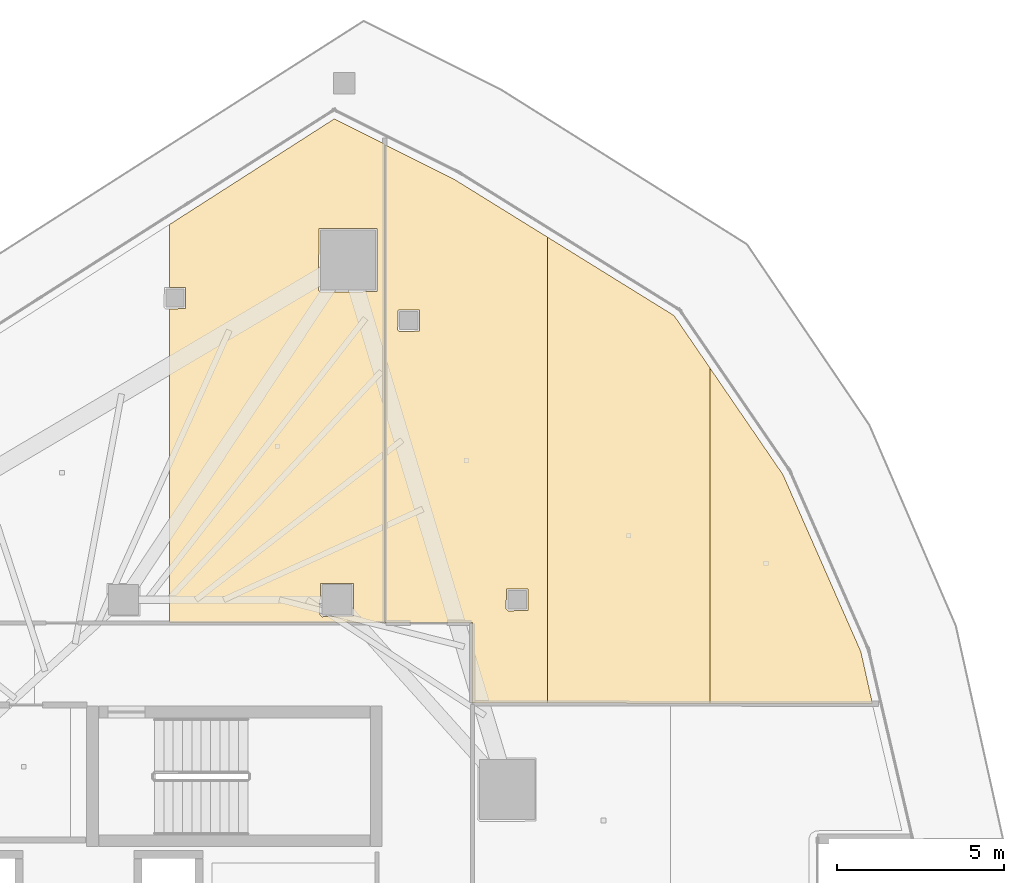
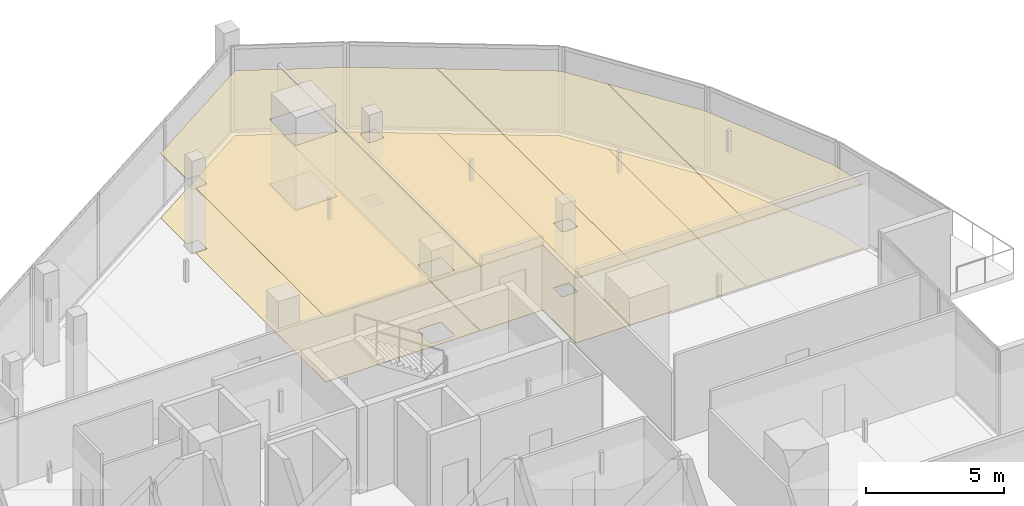
# One storey, part 33 of 33: 8 coverings.
"""IFC4 building model written with IfcOpenShell, lengths in metres."""

import ifcopenshell
import ifcopenshell.guid

model = None  # the IFC model being written
_history = None  # IfcOwnerHistory: only IFC2X3 demands one
_inside = {}  # id of a spatial element -> (the spatial element, [elements in it])
_under = {}  # id of a project, library or spatial element -> (it, [spatial elements below it])
_declared = {}  # id of a project -> (the project, [libraries it declares])
_typed = {}  # id of a type object -> (the type object, [elements of that type])
_made_of = {}  # id of a material, layer set ... -> (it, [elements and type objects made of it])


def new_model(schema):
    """Start an empty IFC model of exactly this schema.

    Asked for "IFC4X3", IfcOpenShell would pick the latest addendum, in which some entities
    have other attributes; the version numbers below select the first issue.
    IFC2X3 requires an IfcOwnerHistory on every rooted entity: one is made here for all.
    """
    global model, _history
    if schema == "IFC4X3":
        model = ifcopenshell.file(schema_version=(4, 3, 0, 0))
    else:
        model = ifcopenshell.file(schema=schema)
    _inside.clear()
    _under.clear()
    _declared.clear()
    _typed.clear()
    _made_of.clear()
    _history = None
    if model.schema == "IFC2X3":
        org = make("IfcOrganization", Name="unknown")
        user = make(
            "IfcPersonAndOrganization",
            ThePerson=make("IfcPerson", FamilyName="unknown"),
            TheOrganization=org,
        )
        app = make(
            "IfcApplication",
            ApplicationDeveloper=org,
            Version="unknown",
            ApplicationFullName="unknown",
            ApplicationIdentifier="unknown",
        )
        _history = make(
            "IfcOwnerHistory",
            OwningUser=user,
            OwningApplication=app,
            ChangeAction="ADDED",
            CreationDate=0,
        )
    return model


def make(cls, **values):
    """One entity of the class cls with the attributes given. An attribute that is None is left unset."""
    return model.create_entity(
        cls, **{name: value for name, value in values.items() if value is not None}
    )


def rooted(cls, **values):
    """An entity with a GlobalId (a new one), such as an element, a storey or a relation."""
    return make(cls, GlobalId=ifcopenshell.guid.new(), OwnerHistory=_history, **values)


def si_unit(unit_type, name, prefix=None):
    """IfcSIUnit, for example si_unit("LENGTHUNIT", "METRE", prefix="MILLI")."""
    return make("IfcSIUnit", UnitType=unit_type, Prefix=prefix, Name=name)


def assignment(units):
    """IfcUnitAssignment: the units of a project."""
    return None if units is None else make("IfcUnitAssignment", Units=units)


def point(xyz):
    """IfcCartesianPoint."""
    return None if xyz is None else make("IfcCartesianPoint", Coordinates=xyz)


def direction(xyz):
    """IfcDirection."""
    return None if xyz is None else make("IfcDirection", DirectionRatios=xyz)


def frame(location, z_axis=None, x_axis=None):
    """IfcAxis2Placement3D, a coordinate frame: its origin and axes. An axis left out is left unset."""
    return make(
        "IfcAxis2Placement3D",
        Location=point(location),
        Axis=direction(z_axis),
        RefDirection=direction(x_axis),
    )


def origin():
    """The frame at (0, 0, 0) with its axes left unset."""
    return frame((0.0, 0.0, 0.0))


def place(relative_to, where):
    """IfcLocalPlacement: puts the frame where relative to a parent placement (None: the world)."""
    return make(
        "IfcLocalPlacement", PlacementRelTo=relative_to, RelativePlacement=where
    )


def context(
    kind, dimensions, precision=None, world=None, true_north=None, identifier=None
):
    """IfcGeometricRepresentationContext, for example the 3D "Model" context."""
    return make(
        "IfcGeometricRepresentationContext",
        ContextIdentifier=identifier,
        ContextType=kind,
        CoordinateSpaceDimension=dimensions,
        Precision=precision,
        WorldCoordinateSystem=world,
        TrueNorth=true_north,
    )


def subcontext(parent, identifier, kind, view, scale=None):
    """IfcGeometricRepresentationSubContext, for example "Body" below "Model"."""
    return make(
        "IfcGeometricRepresentationSubContext",
        ContextIdentifier=identifier,
        ContextType=kind,
        ParentContext=parent,
        TargetScale=scale,
        TargetView=view,
    )


def project(units=None, contexts=None):
    """IfcProject with its units and contexts."""
    return rooted(
        "IfcProject",
        Name="project",
        RepresentationContexts=contexts,
        UnitsInContext=assignment(units),
    )


def spatial(cls, under=None, at=None, **own):
    """A site, building, storey or space (cls), placed at a placement, below another one or the project."""
    s = rooted(cls, ObjectPlacement=at, **own)
    if under is not None:
        _under.setdefault(under.id(), (under, []))[1].append(s)
    return s


def polyline(points):
    """IfcPolyline through the points."""
    return make("IfcPolyline", Points=[point(p) for p in points])


def outline(outer, holes=None, kind="AREA"):
    """IfcArbitraryClosedProfileDef: a profile drawn as a closed curve; with holes, ...WithVoids."""
    if holes is None:
        return make("IfcArbitraryClosedProfileDef", ProfileType=kind, OuterCurve=outer)
    return make(
        "IfcArbitraryProfileDefWithVoids",
        ProfileType=kind,
        OuterCurve=outer,
        InnerCurves=holes,
    )


def extrude(swept, where, along, depth):
    """IfcExtrudedAreaSolid: the profile swept, set in the frame where, extruded along a direction by depth."""
    return make(
        "IfcExtrudedAreaSolid",
        SweptArea=swept,
        Position=where,
        ExtrudedDirection=direction(along),
        Depth=depth,
    )


def shape(context_of_items, identifier, shape_type, items):
    """IfcShapeRepresentation: the items that make up one representation, for example the "Body"."""
    return make(
        "IfcShapeRepresentation",
        ContextOfItems=context_of_items,
        RepresentationIdentifier=identifier,
        RepresentationType=shape_type,
        Items=items,
    )


def material(Name=None, Category=None):
    """IfcMaterial."""
    return make("IfcMaterial", Name=Name, Category=Category)


def layer(
    of_material, thickness, ventilated=None, Name=None, Category=None, Priority=None
):
    """IfcMaterialLayer: one layer of a wall or slab, of a material (None: an air gap)."""
    return make(
        "IfcMaterialLayer",
        Material=of_material,
        LayerThickness=thickness,
        IsVentilated=ventilated,
        Name=Name,
        Category=Category,
        Priority=Priority,
    )


def layer_set(layers, Name=None):
    """IfcMaterialLayerSet."""
    return make("IfcMaterialLayerSet", MaterialLayers=layers, LayerSetName=Name)


def made_of(thing, what):
    """Note that an element or type object is made of a material, layer set ...; save() writes the relation."""
    if what is not None:
        _made_of.setdefault(what.id(), (what, []))[1].append(thing)
    return thing


def type_object(cls, material=None, **own):
    """A type object (cls), such as IfcWallType, which elements share."""
    return made_of(rooted(cls, **own), material)


def element(
    cls,
    number,
    at=None,
    inside=None,
    cuts=None,
    type_object=None,
    material=None,
    context=None,
    identifier="Body",
    shape_type=None,
    held_by="IfcProductDefinitionShape",
    body=None,
    shapes=None,
    **own,
):
    """One element of the class cls, such as IfcWall. Its Tag is "e" and its number.

    at: its placement. inside: the storey or other place that contains it. cuts: it is an
    opening in that element (IfcRelVoidsElement). A single representation is given by context,
    identifier, shape_type and body (its items); several are given by shapes. held_by: the class
    of the entity that holds the representations. save() writes the other relations.
    """
    e = rooted(cls, Tag="e%d" % number, ObjectPlacement=at, **own)
    if body is not None:
        shapes = [shape(context, identifier, shape_type, body)]
    if shapes is not None:
        e.Representation = make(held_by, Representations=shapes)
    if inside is not None:
        _inside.setdefault(inside.id(), (inside, []))[1].append(e)
    if cuts is not None:
        rooted(
            "IfcRelVoidsElement", RelatingBuildingElement=cuts, RelatedOpeningElement=e
        )
    if type_object is not None:
        _typed.setdefault(type_object.id(), (type_object, []))[1].append(e)
    return made_of(e, material)


def aggregate(whole, parts):
    """IfcRelAggregates: a whole, such as a stair, and the parts it consists of."""
    return rooted("IfcRelAggregates", RelatingObject=whole, RelatedObjects=parts)


def save(model, path):
    """Write the relations noted so far, then the file.

    IfcRelAggregates (storeys below a building ...), IfcRelContainedInSpatialStructure (elements
    in a storey), IfcRelDefinesByType, IfcRelAssociatesMaterial and IfcRelDeclares: one each for
    every whole, place, type object, material and project.
    """
    for whole, parts in _under.values():
        aggregate(whole, parts)
    for where, things in _inside.values():
        rooted(
            "IfcRelContainedInSpatialStructure",
            RelatedElements=things,
            RelatingStructure=where,
        )
    for kind, things in _typed.values():
        rooted("IfcRelDefinesByType", RelatedObjects=things, RelatingType=kind)
    for what, things in _made_of.values():
        rooted("IfcRelAssociatesMaterial", RelatedObjects=things, RelatingMaterial=what)
    for by, libraries in _declared.values():
        rooted("IfcRelDeclares", RelatingContext=by, RelatedDefinitions=libraries)
    model.write(path)


model = new_model("IFC4")

# Units and contexts
model_context = context("Model", 3, precision=1e-05, world=origin(), true_north=direction((0.0, 1.0)))
body_context = subcontext(model_context, "Body", "Model", "MODEL_VIEW")
ifc_project = project(units=[si_unit("LENGTHUNIT", "METRE"), si_unit("AREAUNIT", "SQUARE_METRE"), si_unit("VOLUMEUNIT", "CUBIC_METRE"), si_unit("PLANEANGLEUNIT", "RADIAN"), si_unit("MASSUNIT", "GRAM", prefix="KILO")], contexts=[model_context])

# Site, building, storey
site_placement = place(None, origin())
site = spatial("IfcSite", under=ifc_project, at=site_placement, CompositionType="ELEMENT")
building_placement = place(site_placement, origin())
building = spatial("IfcBuilding", under=site, at=building_placement, Name="Qorvath Tower", CompositionType="ELEMENT")
storey_placement = place(building_placement, frame((0.0, 0.0, 221.25)))
storey = spatial("IfcBuildingStorey", under=building, at=storey_placement, Name="L51", CompositionType="ELEMENT", Elevation=221.25)

# Coverings
ifc_material_1 = material(Name="Acoustic mineral fibre ceiling tile", Category="gypsum")
ifc_layer_1 = layer(ifc_material_1, 0.030029296875)
ifc_layer_set_1 = layer_set([ifc_layer_1], Name="COV-CEIL")
covering_type_1 = type_object("IfcCoveringType", Name="COV-CEIL", PredefinedType="CEILING", material=ifc_layer_set_1)
covering_1_placement = place(storey_placement, frame((0.0, 0.0, 2.85009765625)))
element("IfcCovering", 1, at=covering_1_placement, inside=storey, type_object=covering_type_1, Name="L51 Suspended Acoustic Ceiling 015", PredefinedType="CEILING", context=body_context, shape_type="SweptSolid", body=[
    extrude(outline(polyline([(-15.774658203125, 25.11083984375), (-17.2822265625, 25.859375), (-22.21630859375, 22.697021484375), (-22.21630859375, 20.812255859375), (-21.73583984375, 20.812255859375), (-21.73583984375, 20.177490234375), (-22.21630859375, 20.163330078125), (-22.21630859375, 10.762939453125), (-15.772216796875, 10.762939453125), (-15.774658203125, 25.11083984375)]), holes=[polyline([(-17.756591796875, 20.72705078125), (-17.739013671875, 22.569580078125), (-16.00439453125, 22.569580078125), (-16.00439453125, 20.6845703125), (-17.69677734375, 20.6669921875), (-17.756591796875, 20.72705078125)]), polyline([(-17.7099609375, 11.0), (-17.6923828125, 11.9423828125), (-16.70751953125, 11.9423828125), (-16.70751953125, 10.95751953125), (-17.64990234375, 10.93994140625), (-17.7099609375, 11.0)])]), origin(), (0.0, 0.0, 1.0), 0.030029296875),
])
covering_2_placement = place(storey_placement, frame((0.0, 0.0, 2.85009765625)))
element("IfcCovering", 2, at=covering_2_placement, inside=storey, type_object=covering_type_1, Name="L51 Suspended Acoustic Ceiling 016", PredefinedType="CEILING", context=body_context, shape_type="SweptSolid", body=[
    extrude(outline(polyline([(-10.888671875, 8.351806640625), (-10.888671875, 22.315185546875), (-13.6796875, 24.044921875), (-15.7568359375, 25.08349609375), (-15.75439453125, 10.762939453125), (-13.138427734375, 10.761474609375), (-13.136962890625, 8.35498046875), (-10.888671875, 8.351806640625)]), holes=[polyline([(-12.135009765625, 11.175048828125), (-12.117431640625, 11.767333984375), (-11.482666015625, 11.767333984375), (-11.482666015625, 11.132568359375), (-12.074951171875, 11.114990234375), (-12.135009765625, 11.175048828125)]), polyline([(-15.381103515625, 19.543212890625), (-15.363525390625, 20.135498046875), (-14.728759765625, 20.135498046875), (-14.728759765625, 19.500732421875), (-15.321044921875, 19.483154296875), (-15.381103515625, 19.543212890625)])]), origin(), (0.0, 0.0, 1.0), 0.030029296875),
])
covering_3_placement = place(storey_placement, frame((0.0, 0.0, 2.85009765625)))
element("IfcCovering", 3, at=covering_3_placement, inside=storey, type_object=covering_type_1, Name="L51 Suspended Acoustic Ceiling 017", PredefinedType="CEILING", context=body_context, shape_type="SweptSolid", body=[
    extrude(outline(polyline([(-6.020751953125, 8.344482421875), (-6.020751953125, 18.392578125), (-7.097412109375, 19.96533203125), (-10.888671875, 22.315185546875), (-10.888671875, 8.351806640625), (-6.020751953125, 8.344482421875)])), origin(), (0.0, 0.0, 1.0), 0.030029296875),
])
covering_4_placement = place(storey_placement, frame((0.0, 0.0, 2.85009765625)))
element("IfcCovering", 4, at=covering_4_placement, inside=storey, type_object=covering_type_1, Name="L51 Suspended Acoustic Ceiling 018", PredefinedType="CEILING", context=body_context, shape_type="SweptSolid", body=[
    extrude(outline(polyline([(-1.15283203125, 8.33740234375), (-1.5009765625, 9.89453125), (-3.8359375, 15.200927734375), (-6.020751953125, 18.392578125), (-6.020751953125, 8.344482421875), (-1.15283203125, 8.33740234375)])), origin(), (0.0, 0.0, 1.0), 0.030029296875),
])
ifc_material_2 = material(Name="Low-VOC modular carpet tile", Category="textile")
ifc_layer_2 = layer(ifc_material_2, 0.014892578125)
ifc_layer_set_2 = layer_set([ifc_layer_2], Name="COV-FLOOR-CPT")
covering_type_2 = type_object("IfcCoveringType", Name="COV-FLOOR-CPT", PredefinedType="FLOORING", material=ifc_layer_set_2)
covering_5_placement = place(storey_placement, origin())
element("IfcCovering", 5, at=covering_5_placement, inside=storey, type_object=covering_type_2, Name="L51 Floor Finish 015", PredefinedType="FLOORING", context=body_context, shape_type="SweptSolid", body=[
    extrude(outline(polyline([(-15.774658203125, 25.11083984375), (-17.2822265625, 25.859375), (-22.21630859375, 22.697021484375), (-22.21630859375, 20.812255859375), (-21.73583984375, 20.812255859375), (-21.73583984375, 20.177490234375), (-22.21630859375, 20.163330078125), (-22.21630859375, 10.762939453125), (-15.772216796875, 10.762939453125), (-15.774658203125, 25.11083984375)]), holes=[polyline([(-17.756591796875, 20.72705078125), (-17.739013671875, 22.569580078125), (-16.00439453125, 22.569580078125), (-16.00439453125, 20.6845703125), (-17.69677734375, 20.6669921875), (-17.756591796875, 20.72705078125)]), polyline([(-17.7099609375, 11.0), (-17.6923828125, 11.9423828125), (-16.70751953125, 11.9423828125), (-16.70751953125, 10.95751953125), (-17.64990234375, 10.93994140625), (-17.7099609375, 11.0)])]), origin(), (0.0, 0.0, 1.0), 0.014892578125),
])
covering_6_placement = place(storey_placement, origin())
element("IfcCovering", 6, at=covering_6_placement, inside=storey, type_object=covering_type_2, Name="L51 Floor Finish 016", PredefinedType="FLOORING", context=body_context, shape_type="SweptSolid", body=[
    extrude(outline(polyline([(-10.888671875, 8.351806640625), (-10.888671875, 22.315185546875), (-13.6796875, 24.044921875), (-15.7568359375, 25.08349609375), (-15.75439453125, 10.762939453125), (-13.138427734375, 10.761474609375), (-13.136962890625, 8.35498046875), (-10.888671875, 8.351806640625)]), holes=[polyline([(-12.135009765625, 11.175048828125), (-12.117431640625, 11.767333984375), (-11.482666015625, 11.767333984375), (-11.482666015625, 11.132568359375), (-12.074951171875, 11.114990234375), (-12.135009765625, 11.175048828125)]), polyline([(-15.381103515625, 19.543212890625), (-15.363525390625, 20.135498046875), (-14.728759765625, 20.135498046875), (-14.728759765625, 19.500732421875), (-15.321044921875, 19.483154296875), (-15.381103515625, 19.543212890625)])]), origin(), (0.0, 0.0, 1.0), 0.014892578125),
])
covering_7_placement = place(storey_placement, origin())
element("IfcCovering", 7, at=covering_7_placement, inside=storey, type_object=covering_type_2, Name="L51 Floor Finish 017", PredefinedType="FLOORING", context=body_context, shape_type="SweptSolid", body=[
    extrude(outline(polyline([(-6.020751953125, 8.344482421875), (-6.020751953125, 18.392578125), (-7.097412109375, 19.96533203125), (-10.888671875, 22.315185546875), (-10.888671875, 8.351806640625), (-6.020751953125, 8.344482421875)])), origin(), (0.0, 0.0, 1.0), 0.014892578125),
])
covering_8_placement = place(storey_placement, origin())
element("IfcCovering", 8, at=covering_8_placement, inside=storey, type_object=covering_type_2, Name="L51 Floor Finish 018", PredefinedType="FLOORING", context=body_context, shape_type="SweptSolid", body=[
    extrude(outline(polyline([(-1.15283203125, 8.33740234375), (-1.5009765625, 9.89453125), (-3.8359375, 15.200927734375), (-6.020751953125, 18.392578125), (-6.020751953125, 8.344482421875), (-1.15283203125, 8.33740234375)])), origin(), (0.0, 0.0, 1.0), 0.014892578125),
])

save(model, "model.ifc")
